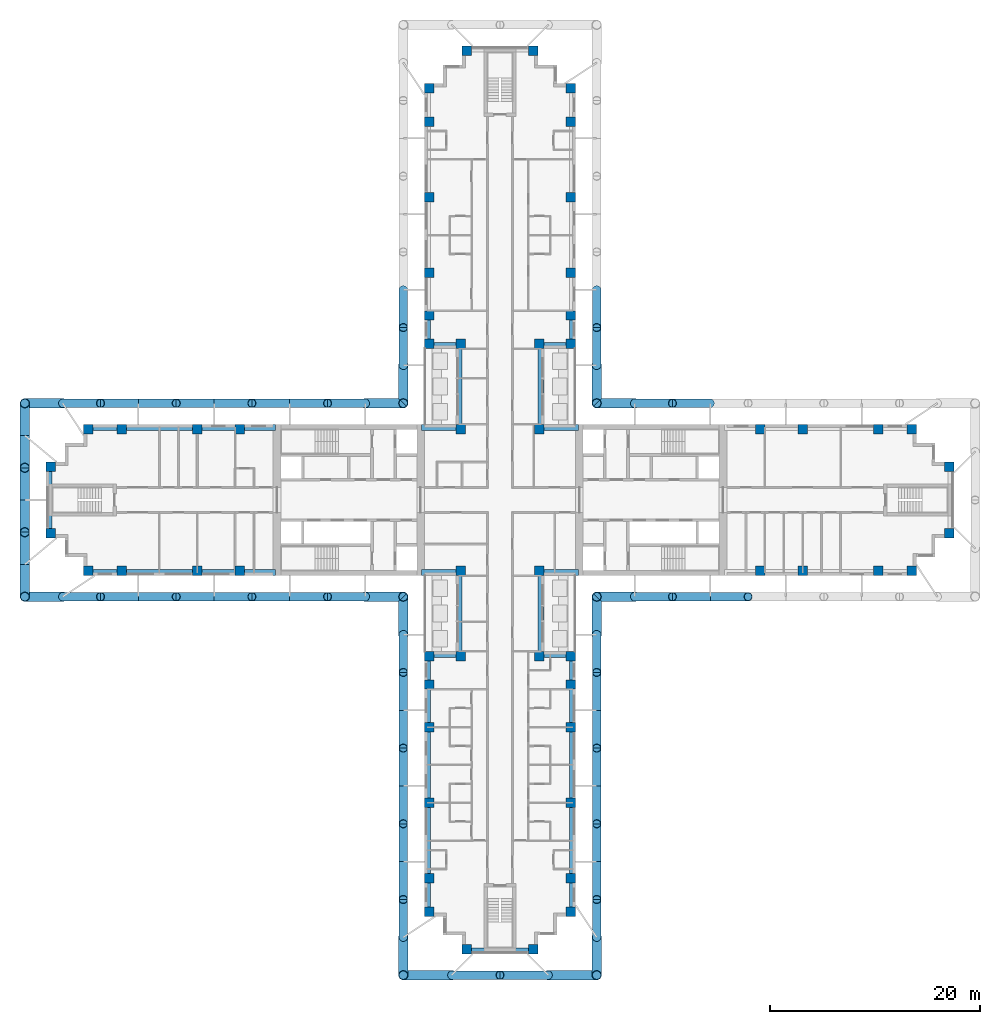
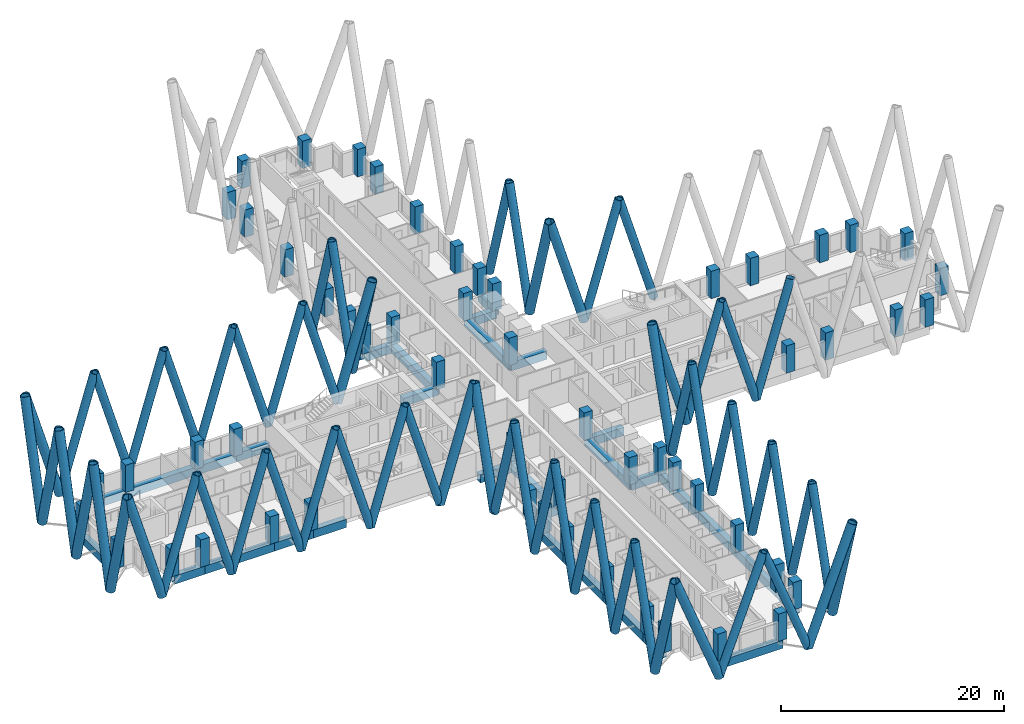
# One storey, part 1 of 16: 63 members, 56 columns, 34 beams.
"""IFC4 building model written with IfcOpenShell, lengths in metres."""

import ifcopenshell
import ifcopenshell.guid

model = None  # the IFC model being written
_history = None  # IfcOwnerHistory: only IFC2X3 demands one
_inside = {}  # id of a spatial element -> (the spatial element, [elements in it])
_under = {}  # id of a project, library or spatial element -> (it, [spatial elements below it])
_declared = {}  # id of a project -> (the project, [libraries it declares])
_typed = {}  # id of a type object -> (the type object, [elements of that type])
_made_of = {}  # id of a material, layer set ... -> (it, [elements and type objects made of it])


def new_model(schema):
    """Start an empty IFC model of exactly this schema.

    Asked for "IFC4X3", IfcOpenShell would pick the latest addendum, in which some entities
    have other attributes; the version numbers below select the first issue.
    IFC2X3 requires an IfcOwnerHistory on every rooted entity: one is made here for all.
    """
    global model, _history
    if schema == "IFC4X3":
        model = ifcopenshell.file(schema_version=(4, 3, 0, 0))
    else:
        model = ifcopenshell.file(schema=schema)
    _inside.clear()
    _under.clear()
    _declared.clear()
    _typed.clear()
    _made_of.clear()
    _history = None
    if model.schema == "IFC2X3":
        org = make("IfcOrganization", Name="unknown")
        user = make(
            "IfcPersonAndOrganization",
            ThePerson=make("IfcPerson", FamilyName="unknown"),
            TheOrganization=org,
        )
        app = make(
            "IfcApplication",
            ApplicationDeveloper=org,
            Version="unknown",
            ApplicationFullName="unknown",
            ApplicationIdentifier="unknown",
        )
        _history = make(
            "IfcOwnerHistory",
            OwningUser=user,
            OwningApplication=app,
            ChangeAction="ADDED",
            CreationDate=0,
        )
    return model


def make(cls, **values):
    """One entity of the class cls with the attributes given. An attribute that is None is left unset."""
    return model.create_entity(
        cls, **{name: value for name, value in values.items() if value is not None}
    )


def rooted(cls, **values):
    """An entity with a GlobalId (a new one), such as an element, a storey or a relation."""
    return make(cls, GlobalId=ifcopenshell.guid.new(), OwnerHistory=_history, **values)


def si_unit(unit_type, name, prefix=None):
    """IfcSIUnit, for example si_unit("LENGTHUNIT", "METRE", prefix="MILLI")."""
    return make("IfcSIUnit", UnitType=unit_type, Prefix=prefix, Name=name)


def assignment(units):
    """IfcUnitAssignment: the units of a project."""
    return None if units is None else make("IfcUnitAssignment", Units=units)


def point(xyz):
    """IfcCartesianPoint."""
    return None if xyz is None else make("IfcCartesianPoint", Coordinates=xyz)


def direction(xyz):
    """IfcDirection."""
    return None if xyz is None else make("IfcDirection", DirectionRatios=xyz)


def frame(location, z_axis=None, x_axis=None):
    """IfcAxis2Placement3D, a coordinate frame: its origin and axes. An axis left out is left unset."""
    return make(
        "IfcAxis2Placement3D",
        Location=point(location),
        Axis=direction(z_axis),
        RefDirection=direction(x_axis),
    )


def frame_2d(location, x_axis=None):
    """IfcAxis2Placement2D, a coordinate frame in the plane: its origin and x axis."""
    return make(
        "IfcAxis2Placement2D", Location=point(location), RefDirection=direction(x_axis)
    )


def origin():
    """The frame at (0, 0, 0) with its axes left unset."""
    return frame((0.0, 0.0, 0.0))


def origin_2d():
    """The frame at (0, 0) in the plane with its x axis left unset."""
    return frame_2d((0.0, 0.0))


def place(relative_to, where):
    """IfcLocalPlacement: puts the frame where relative to a parent placement (None: the world)."""
    return make(
        "IfcLocalPlacement", PlacementRelTo=relative_to, RelativePlacement=where
    )


def context(
    kind, dimensions, precision=None, world=None, true_north=None, identifier=None
):
    """IfcGeometricRepresentationContext, for example the 3D "Model" context."""
    return make(
        "IfcGeometricRepresentationContext",
        ContextIdentifier=identifier,
        ContextType=kind,
        CoordinateSpaceDimension=dimensions,
        Precision=precision,
        WorldCoordinateSystem=world,
        TrueNorth=true_north,
    )


def subcontext(parent, identifier, kind, view, scale=None):
    """IfcGeometricRepresentationSubContext, for example "Body" below "Model"."""
    return make(
        "IfcGeometricRepresentationSubContext",
        ContextIdentifier=identifier,
        ContextType=kind,
        ParentContext=parent,
        TargetScale=scale,
        TargetView=view,
    )


def project(units=None, contexts=None):
    """IfcProject with its units and contexts."""
    return rooted(
        "IfcProject",
        Name="project",
        RepresentationContexts=contexts,
        UnitsInContext=assignment(units),
    )


def spatial(cls, under=None, at=None, **own):
    """A site, building, storey or space (cls), placed at a placement, below another one or the project."""
    s = rooted(cls, ObjectPlacement=at, **own)
    if under is not None:
        _under.setdefault(under.id(), (under, []))[1].append(s)
    return s


def profile(cls, at=None, kind="AREA", **sizes):
    """A parametric profile (cls). Its sizes go by their IFC names, for example OverallWidth=200.0."""
    return make(cls, ProfileType=kind, Position=at, **sizes)


def rectangle(**sizes):
    """IfcRectangleProfileDef."""
    return profile("IfcRectangleProfileDef", **sizes)


def hollow_circle(**sizes):
    """IfcCircleHollowProfileDef."""
    return profile("IfcCircleHollowProfileDef", **sizes)


def extrude(swept, where, along, depth):
    """IfcExtrudedAreaSolid: the profile swept, set in the frame where, extruded along a direction by depth."""
    return make(
        "IfcExtrudedAreaSolid",
        SweptArea=swept,
        Position=where,
        ExtrudedDirection=direction(along),
        Depth=depth,
    )


def shape(context_of_items, identifier, shape_type, items):
    """IfcShapeRepresentation: the items that make up one representation, for example the "Body"."""
    return make(
        "IfcShapeRepresentation",
        ContextOfItems=context_of_items,
        RepresentationIdentifier=identifier,
        RepresentationType=shape_type,
        Items=items,
    )


def material(Name=None, Category=None):
    """IfcMaterial."""
    return make("IfcMaterial", Name=Name, Category=Category)


def material_profile(
    of_material, cross_section, Name=None, Category=None, Priority=None
):
    """IfcMaterialProfile: a cross section and its material."""
    return make(
        "IfcMaterialProfile",
        Name=Name,
        Material=of_material,
        Profile=cross_section,
        Priority=Priority,
        Category=Category,
    )


def profile_set(profiles, Name=None, composite=None):
    """IfcMaterialProfileSet."""
    return make(
        "IfcMaterialProfileSet",
        Name=Name,
        MaterialProfiles=profiles,
        CompositeProfile=composite,
    )


def made_of(thing, what):
    """Note that an element or type object is made of a material, layer set ...; save() writes the relation."""
    if what is not None:
        _made_of.setdefault(what.id(), (what, []))[1].append(thing)
    return thing


def type_object(cls, material=None, **own):
    """A type object (cls), such as IfcWallType, which elements share."""
    return made_of(rooted(cls, **own), material)


def element(
    cls,
    number,
    at=None,
    inside=None,
    cuts=None,
    type_object=None,
    material=None,
    context=None,
    identifier="Body",
    shape_type=None,
    held_by="IfcProductDefinitionShape",
    body=None,
    shapes=None,
    **own,
):
    """One element of the class cls, such as IfcWall. Its Tag is "e" and its number.

    at: its placement. inside: the storey or other place that contains it. cuts: it is an
    opening in that element (IfcRelVoidsElement). A single representation is given by context,
    identifier, shape_type and body (its items); several are given by shapes. held_by: the class
    of the entity that holds the representations. save() writes the other relations.
    """
    e = rooted(cls, Tag="e%d" % number, ObjectPlacement=at, **own)
    if body is not None:
        shapes = [shape(context, identifier, shape_type, body)]
    if shapes is not None:
        e.Representation = make(held_by, Representations=shapes)
    if inside is not None:
        _inside.setdefault(inside.id(), (inside, []))[1].append(e)
    if cuts is not None:
        rooted(
            "IfcRelVoidsElement", RelatingBuildingElement=cuts, RelatedOpeningElement=e
        )
    if type_object is not None:
        _typed.setdefault(type_object.id(), (type_object, []))[1].append(e)
    return made_of(e, material)


def aggregate(whole, parts):
    """IfcRelAggregates: a whole, such as a stair, and the parts it consists of."""
    return rooted("IfcRelAggregates", RelatingObject=whole, RelatedObjects=parts)


def save(model, path):
    """Write the relations noted so far, then the file.

    IfcRelAggregates (storeys below a building ...), IfcRelContainedInSpatialStructure (elements
    in a storey), IfcRelDefinesByType, IfcRelAssociatesMaterial and IfcRelDeclares: one each for
    every whole, place, type object, material and project.
    """
    for whole, parts in _under.values():
        aggregate(whole, parts)
    for where, things in _inside.values():
        rooted(
            "IfcRelContainedInSpatialStructure",
            RelatedElements=things,
            RelatingStructure=where,
        )
    for kind, things in _typed.values():
        rooted("IfcRelDefinesByType", RelatedObjects=things, RelatingType=kind)
    for what, things in _made_of.values():
        rooted("IfcRelAssociatesMaterial", RelatedObjects=things, RelatingMaterial=what)
    for by, libraries in _declared.values():
        rooted("IfcRelDeclares", RelatingContext=by, RelatedDefinitions=libraries)
    model.write(path)


model = new_model("IFC4")

# Units and contexts
model_context = context("Model", 3, precision=1e-05, world=origin(), true_north=direction((0.0, 1.0)))
body_context = subcontext(model_context, "Body", "Model", "MODEL_VIEW")
ifc_project = project(units=[si_unit("LENGTHUNIT", "METRE"), si_unit("AREAUNIT", "SQUARE_METRE"), si_unit("VOLUMEUNIT", "CUBIC_METRE"), si_unit("PLANEANGLEUNIT", "RADIAN"), si_unit("MASSUNIT", "GRAM", prefix="KILO")], contexts=[model_context])

# Site, building, storey
site_placement = place(None, origin())
site = spatial("IfcSite", under=ifc_project, at=site_placement, CompositionType="ELEMENT")
building_placement = place(site_placement, origin())
building = spatial("IfcBuilding", under=site, at=building_placement, Name="Fustian Cross Tower", CompositionType="ELEMENT")
storey_placement = place(building_placement, frame((0.0, 0.0, 20.699951171875)))
storey = spatial("IfcBuildingStorey", under=building, at=storey_placement, Name="L05", CompositionType="ELEMENT", Elevation=20.699951171875)

# Columns
ifc_material_1 = material(Name="Concrete C70/85", Category="concrete")
ifc_material_profile_1 = material_profile(ifc_material_1, rectangle(XDim=0.89990234375, YDim=0.89990234375, at=origin_2d()), Name="RC 900x900")
ifc_profile_set_1 = profile_set([ifc_material_profile_1], Name="Concrete C70/85")
column_type = type_object("IfcColumnType", Name="COLUMN RC 900x900 C70/85", PredefinedType="COLUMN", material=ifc_profile_set_1)
for number, where, z_axis, x_axis, name in (
    (1, (-42.75, -3.14990234375, 0.0), (0.0, 0.0, 1.0), (1.0, 0.0, 0.0), "COLUMN 001"),
    (2, (-42.75, 3.14990234375, 0.0), (0.0, 0.0, 1.0), (1.0, 0.0, 0.0), "COLUMN 002"),
    (3, (-39.14990234375, -6.75, 0.0), (0.0, 0.0, 1.0), (1.0, 0.0, 0.0), "COLUMN 003"),
    (4, (-39.14990234375, 6.75, 0.0), (0.0, 0.0, 1.0), (1.0, 0.0, 0.0), "COLUMN 004"),
    (5, (-36.0, -6.75, 0.0), (0.0, 0.0, 1.0), (1.0, 0.0, 0.0), "COLUMN 005"),
    (6, (-36.0, 6.75, 0.0), (0.0, 0.0, 1.0), (1.0, 0.0, 0.0), "COLUMN 006"),
    (7, (-28.800048828125, -6.75, 0.0), (0.0, 0.0, 1.0), (1.0, 0.0, 0.0), "COLUMN 007"),
    (8, (-28.800048828125, 6.75, 0.0), (0.0, 0.0, 1.0), (1.0, 0.0, 0.0), "COLUMN 010"),
    (9, (-24.75, -6.75, 0.0), (0.0, 0.0, 1.0), (1.0, 0.0, 0.0), "COLUMN 011"),
    (10, (-24.75, 6.75, 0.0), (0.0, 0.0, 1.0), (1.0, 0.0, 0.0), "COLUMN 012"),
    (11, (-6.75, -39.14990234375, 0.0), (0.0, 0.0, 1.0), (1.0, 0.0, 0.0), "COLUMN 013"),
    (12, (-6.75, -36.0, 0.0), (0.0, 0.0, 1.0), (1.0, 0.0, 0.0), "COLUMN 014"),
    (13, (-6.75, -28.800048828125, 0.0), (0.0, 0.0, 1.0), (1.0, 0.0, 0.0), "COLUMN 015"),
    (14, (-6.75, -21.60009765625, 0.0), (0.0, 0.0, 1.0), (1.0, 0.0, 0.0), "COLUMN 016"),
    (15, (-6.75, -17.550048828125, 0.0), (0.0, 0.0, 1.0), (1.0, 0.0, 0.0), "COLUMN 017"),
    (16, (-6.75, -14.85009765625, 0.0), (0.0, 0.0, 1.0), (1.0, 0.0, 0.0), "COLUMN 018"),
    (17, (-6.75, 14.85009765625, 0.0), (0.0, 0.0, 1.0), (1.0, 0.0, 0.0), "COLUMN 019"),
    (18, (-6.75, 17.550048828125, 0.0), (0.0, 0.0, 1.0), (1.0, 0.0, 0.0), "COLUMN 020"),
    (19, (-6.75, 21.60009765625, 0.0), (0.0, 0.0, 1.0), (1.0, 0.0, 0.0), "COLUMN 021"),
    (20, (-6.75, 28.800048828125, 0.0), (0.0, 0.0, 1.0), (1.0, 0.0, 0.0), "COLUMN 022"),
    (21, (-6.75, 36.0, 0.0), (0.0, 0.0, 1.0), (1.0, 0.0, 0.0), "COLUMN 023"),
    (22, (-6.75, 39.14990234375, 0.0), (0.0, 0.0, 1.0), (1.0, 0.0, 0.0), "COLUMN 024"),
    (23, (-3.75, -14.85009765625, 0.0), (0.0, 0.0, 1.0), (1.0, 0.0, 0.0), "COLUMN 025"),
    (24, (-3.75, -6.75, 0.0), (0.0, 0.0, 1.0), (1.0, 0.0, 0.0), "COLUMN 026"),
    (25, (-3.75, 6.75, 0.0), (0.0, 0.0, 1.0), (1.0, 0.0, 0.0), "COLUMN 027"),
    (26, (-3.75, 14.85009765625, 0.0), (0.0, 0.0, 1.0), (1.0, 0.0, 0.0), "COLUMN 028"),
    (27, (-3.14990234375, -42.75, 0.0), (0.0, 0.0, 1.0), (1.0, 0.0, 0.0), "COLUMN 029"),
    (28, (-3.14990234375, 42.75, 0.0), (0.0, 0.0, 1.0), (1.0, 0.0, 0.0), "COLUMN 032"),
    (29, (3.14990234375, -42.75, 0.0), (0.0, 0.0, 1.0), (1.0, 0.0, 0.0), "COLUMN 033"),
    (30, (3.14990234375, 42.75, 0.0), (0.0, 0.0, 1.0), (1.0, 0.0, 0.0), "COLUMN 036"),
    (31, (3.75, -14.85009765625, 0.0), (0.0, 0.0, 1.0), (1.0, 0.0, 0.0), "COLUMN 037"),
    (32, (3.75, -6.75, 0.0), (0.0, 0.0, 1.0), (1.0, 0.0, 0.0), "COLUMN 038"),
    (33, (3.75, 6.75, 0.0), (0.0, 0.0, 1.0), (1.0, 0.0, 0.0), "COLUMN 039"),
    (34, (3.75, 14.85009765625, 0.0), (0.0, 0.0, 1.0), (1.0, 0.0, 0.0), "COLUMN 040"),
    (35, (6.75, -39.14990234375, 0.0), (0.0, 0.0, 1.0), (1.0, 0.0, 0.0), "COLUMN 041"),
    (36, (6.75, -36.0, 0.0), (0.0, 0.0, 1.0), (1.0, 0.0, 0.0), "COLUMN 042"),
    (37, (6.75, -28.800048828125, 0.0), (0.0, 0.0, 1.0), (1.0, 0.0, 0.0), "COLUMN 043"),
    (38, (6.75, -21.60009765625, 0.0), (0.0, 0.0, 1.0), (1.0, 0.0, 0.0), "COLUMN 044"),
    (39, (6.75, -17.550048828125, 0.0), (0.0, 0.0, 1.0), (1.0, 0.0, 0.0), "COLUMN 045"),
    (40, (6.75, -14.85009765625, 0.0), (0.0, 0.0, 1.0), (1.0, 0.0, 0.0), "COLUMN 046"),
    (41, (6.75, 14.85009765625, 0.0), (0.0, 0.0, 1.0), (1.0, 0.0, 0.0), "COLUMN 047"),
    (42, (6.75, 17.550048828125, 0.0), (0.0, 0.0, 1.0), (1.0, 0.0, 0.0), "COLUMN 048"),
    (43, (6.75, 21.60009765625, 0.0), (0.0, 0.0, 1.0), (1.0, 0.0, 0.0), "COLUMN 049"),
    (44, (6.75, 28.800048828125, 0.0), (0.0, 0.0, 1.0), (1.0, 0.0, 0.0), "COLUMN 050"),
    (45, (6.75, 36.0, 0.0), (0.0, 0.0, 1.0), (1.0, 0.0, 0.0), "COLUMN 051"),
    (46, (6.75, 39.14990234375, 0.0), (0.0, 0.0, 1.0), (1.0, 0.0, 0.0), "COLUMN 052"),
    (47, (24.75, -6.75, 0.0), (0.0, 0.0, 1.0), (1.0, 0.0, 0.0), "COLUMN 053"),
    (48, (24.75, 6.75, 0.0), (0.0, 0.0, 1.0), (1.0, 0.0, 0.0), "COLUMN 054"),
    (49, (28.800048828125, -6.75, 0.0), (0.0, 0.0, 1.0), (1.0, 0.0, 0.0), "COLUMN 055"),
    (50, (28.800048828125, 6.75, 0.0), (0.0, 0.0, 1.0), (1.0, 0.0, 0.0), "COLUMN 058"),
    (51, (36.0, -6.75, 0.0), (0.0, 0.0, 1.0), (1.0, 0.0, 0.0), "COLUMN 059"),
    (52, (36.0, 6.75, 0.0), (0.0, 0.0, 1.0), (1.0, 0.0, 0.0), "COLUMN 060"),
    (53, (39.14990234375, -6.75, 0.0), (0.0, 0.0, 1.0), (1.0, 0.0, 0.0), "COLUMN 061"),
    (54, (39.14990234375, 6.75, 0.0), (0.0, 0.0, 1.0), (1.0, 0.0, 0.0), "COLUMN 062"),
    (55, (42.75, -3.14990234375, 0.0), (0.0, 0.0, 1.0), (1.0, 0.0, 0.0), "COLUMN 063"),
    (56, (42.75, 3.14990234375, 0.0), (0.0, 0.0, 1.0), (1.0, 0.0, 0.0), "COLUMN 064"),
):
    element("IfcColumn", number, at=place(storey_placement, frame(where, z_axis=z_axis, x_axis=x_axis)), inside=storey, type_object=column_type, Name=name, PredefinedType="COLUMN", context=body_context, shape_type="SweptSolid", body=[
        extrude(rectangle(XDim=0.89990234375, YDim=0.89990234375, at=origin_2d()), origin(), (0.0, 0.0, 1.0), 3.0),
    ])

# Members
ifc_material_2 = material(Name="Steel S355", Category="steel")
ifc_material_profile_2 = material_profile(ifc_material_2, hollow_circle(Radius=0.406494140625, WallThickness=0.0400390625, at=origin_2d()), Name="CHS 813x40")
ifc_profile_set_2 = profile_set([ifc_material_profile_2], Name="Steel S355")
member_type_1 = type_object("IfcMemberType", Name="DIAGRID DIAGONAL CHS 813x40", PredefinedType="BRACE", material=ifc_profile_set_2)
for number, where, z_axis, x_axis, name in (
    (57, (12.800048828125, -9.199951171875, 0.0), (0.287337158709, 0.0, 0.957829503213), (0.0, 1.0, 0.0), "Diagrid diagonal E-S 02"),
    (58, (20.0, -9.199951171875, 0.0), (-0.287355036744, 0.0, 0.957824139839), (0.0, -1.0, 0.0), "Diagrid diagonal E-S 03"),
    (59, (20.0, -9.199951171875, 0.0), (0.287355036744, 0.0, 0.957824139839), (0.0, 1.0, 0.0), "Diagrid diagonal E-S 04"),
    (60, (20.0, 9.199951171875, 0.0), (-0.287355036744, 0.0, 0.957824139839), (0.0, -1.0, 0.0), "Diagrid diagonal E-N 08"),
    (61, (12.800048828125, 9.199951171875, 0.0), (0.287337158709, 0.0, 0.957829503213), (0.0, 1.0, 0.0), "Diagrid diagonal E-N 09"),
    (62, (9.199951171875, 12.800048828125, 0.0), (0.0, 0.287337158709, 0.957829503213), (-1.0, 0.0, 0.0), "Diagrid diagonal N-E 02"),
    (63, (9.199951171875, 20.0, 0.0), (0.0, -0.287355036744, 0.957824139839), (1.0, 0.0, 0.0), "Diagrid diagonal N-E 03"),
    (64, (-9.199951171875, 20.0, 0.0), (0.0, -0.287355036744, 0.957824139839), (1.0, 0.0, 0.0), "Diagrid diagonal N-W 08"),
    (65, (-9.199951171875, 12.800048828125, 0.0), (0.0, 0.287337158709, 0.957829503213), (-1.0, 0.0, 0.0), "Diagrid diagonal N-W 09"),
    (66, (-12.800048828125, 9.199951171875, 0.0), (-0.287337158709, 0.0, 0.957829503213), (0.0, -1.0, 0.0), "Diagrid diagonal W-N 02"),
    (67, (-20.0, 9.199951171875, 0.0), (0.287355036744, 0.0, 0.957824139839), (0.0, 1.0, 0.0), "Diagrid diagonal W-N 03"),
    (68, (-20.0, 9.199951171875, 0.0), (-0.287355036744, 0.0, 0.957824139839), (0.0, -1.0, 0.0), "Diagrid diagonal W-N 04"),
    (69, (-27.199951171875, 9.199951171875, 0.0), (0.287337158709, 0.0, 0.957829503213), (0.0, 1.0, 0.0), "Diagrid diagonal W-N 05"),
    (70, (-27.199951171875, 9.199951171875, 0.0), (-0.287355036744, 0.0, 0.957824139839), (0.0, -1.0, 0.0), "Diagrid diagonal W-N 06"),
    (71, (-34.39990234375, 9.199951171875, 0.0), (0.287337158709, 0.0, 0.957829503213), (0.0, 1.0, 0.0), "Diagrid diagonal W-N 07"),
    (72, (-34.39990234375, 9.199951171875, 0.0), (-0.287355036744, 0.0, 0.957824139839), (0.0, -1.0, 0.0), "Diagrid diagonal W-N 08"),
    (73, (-41.60009765625, 9.199951171875, 0.0), (0.287355036744, 0.0, 0.957824139839), (0.0, 1.0, 0.0), "Diagrid diagonal W-N 09"),
    (74, (-41.60009765625, -9.199951171875, 0.0), (0.287355036744, 0.0, 0.957824139839), (0.0, 1.0, 0.0), "Diagrid diagonal W-S 02"),
    (75, (-34.39990234375, -9.199951171875, 0.0), (-0.287355036744, 0.0, 0.957824139839), (0.0, -1.0, 0.0), "Diagrid diagonal W-S 03"),
    (76, (-34.39990234375, -9.199951171875, 0.0), (0.287337158709, 0.0, 0.957829503213), (0.0, 1.0, 0.0), "Diagrid diagonal W-S 04"),
    (77, (-27.199951171875, -9.199951171875, 0.0), (-0.287355036744, 0.0, 0.957824139839), (0.0, -1.0, 0.0), "Diagrid diagonal W-S 05"),
    (78, (-27.199951171875, -9.199951171875, 0.0), (0.287337158709, 0.0, 0.957829503213), (0.0, 1.0, 0.0), "Diagrid diagonal W-S 06"),
    (79, (-20.0, -9.199951171875, 0.0), (-0.287355036744, 0.0, 0.957824139839), (0.0, -1.0, 0.0), "Diagrid diagonal W-S 07"),
    (80, (-20.0, -9.199951171875, 0.0), (0.287355036744, 0.0, 0.957824139839), (0.0, 1.0, 0.0), "Diagrid diagonal W-S 08"),
    (81, (-12.800048828125, -9.199951171875, 0.0), (-0.287337158709, 0.0, 0.957829503213), (0.0, -1.0, 0.0), "Diagrid diagonal W-S 09"),
    (82, (-9.199951171875, -12.800048828125, 0.0), (0.0, -0.287337158709, 0.957829503213), (1.0, 0.0, 0.0), "Diagrid diagonal S-W 02"),
    (83, (-9.199951171875, -20.0, 0.0), (0.0, 0.287355036744, 0.957824139839), (-1.0, 0.0, 0.0), "Diagrid diagonal S-W 03"),
    (84, (-9.199951171875, -20.0, 0.0), (0.0, -0.287355036744, 0.957824139839), (1.0, 0.0, 0.0), "Diagrid diagonal S-W 04"),
    (85, (-9.199951171875, -27.199951171875, 0.0), (0.0, 0.287337158709, 0.957829503213), (-1.0, 0.0, 0.0), "Diagrid diagonal S-W 05"),
    (86, (-9.199951171875, -27.199951171875, 0.0), (0.0, -0.287355036744, 0.957824139839), (1.0, 0.0, 0.0), "Diagrid diagonal S-W 06"),
    (87, (-9.199951171875, -34.39990234375, 0.0), (0.0, 0.287337158709, 0.957829503213), (-1.0, 0.0, 0.0), "Diagrid diagonal S-W 07"),
    (88, (-9.199951171875, -34.39990234375, 0.0), (0.0, -0.287355036744, 0.957824139839), (1.0, 0.0, 0.0), "Diagrid diagonal S-W 08"),
    (89, (-9.199951171875, -41.60009765625, 0.0), (0.0, 0.287355036744, 0.957824139839), (-1.0, 0.0, 0.0), "Diagrid diagonal S-W 09"),
):
    element("IfcMember", number, at=place(storey_placement, frame(where, z_axis=z_axis, x_axis=x_axis)), inside=storey, type_object=member_type_1, Name=name, PredefinedType="BRACE", context=body_context, shape_type="SweptSolid", body=[
        extrude(hollow_circle(Radius=0.406494140625, WallThickness=0.0400390625, at=origin_2d()), origin(), (0.0, 0.0, 1.0), 12.5283203125),
    ])
for number, where, z_axis, x_axis, name in (
    (90, (-4.60009765625, -45.199951171875, 0.0), (0.3579426369, 0.0, 0.933743577589), (0.0, 1.0, 0.0), "Diagrid diagonal S-end 02"),
    (91, (4.60009765625, -45.199951171875, 0.0), (-0.3579426369, 0.0, 0.933743577589), (0.0, -1.0, 0.0), "Diagrid diagonal S-end 03"),
):
    element("IfcMember", number, at=place(storey_placement, frame(where, z_axis=z_axis, x_axis=x_axis)), inside=storey, type_object=member_type_1, Name=name, PredefinedType="BRACE", context=body_context, shape_type="SweptSolid", body=[
        extrude(hollow_circle(Radius=0.406494140625, WallThickness=0.0400390625, at=origin_2d()), origin(), (0.0, 0.0, 1.0), 12.8515625),
    ])
for number, where, z_axis, x_axis, name in (
    (92, (9.199951171875, -41.60009765625, 0.0), (0.0, 0.287355036744, 0.957824139839), (-1.0, 0.0, 0.0), "Diagrid diagonal S-E 02"),
    (93, (9.199951171875, -34.39990234375, 0.0), (0.0, -0.287355036744, 0.957824139839), (1.0, 0.0, 0.0), "Diagrid diagonal S-E 03"),
    (94, (9.199951171875, -34.39990234375, 0.0), (0.0, 0.287337158709, 0.957829503213), (-1.0, 0.0, 0.0), "Diagrid diagonal S-E 04"),
    (95, (9.199951171875, -27.199951171875, 0.0), (0.0, -0.287355036744, 0.957824139839), (1.0, 0.0, 0.0), "Diagrid diagonal S-E 05"),
    (96, (9.199951171875, -27.199951171875, 0.0), (0.0, 0.287337158709, 0.957829503213), (-1.0, 0.0, 0.0), "Diagrid diagonal S-E 06"),
    (97, (9.199951171875, -20.0, 0.0), (0.0, -0.287355036744, 0.957824139839), (1.0, 0.0, 0.0), "Diagrid diagonal S-E 07"),
    (98, (9.199951171875, -20.0, 0.0), (0.0, 0.287355036744, 0.957824139839), (-1.0, 0.0, 0.0), "Diagrid diagonal S-E 08"),
    (99, (9.199951171875, -12.800048828125, 0.0), (0.0, -0.287337158709, 0.957829503213), (1.0, 0.0, 0.0), "Diagrid diagonal S-E 09"),
):
    element("IfcMember", number, at=place(storey_placement, frame(where, z_axis=z_axis, x_axis=x_axis)), inside=storey, type_object=member_type_1, Name=name, PredefinedType="BRACE", context=body_context, shape_type="SweptSolid", body=[
        extrude(hollow_circle(Radius=0.406494140625, WallThickness=0.0400390625, at=origin_2d()), origin(), (0.0, 0.0, 1.0), 12.5283203125),
    ])
ifc_material_3 = material(Name="Steel S355", Category="steel")
ifc_material_profile_3 = material_profile(ifc_material_3, hollow_circle(Radius=0.457275390625, WallThickness=0.050048828125, at=origin_2d()), Name="CHS 914x50")
ifc_profile_set_3 = profile_set([ifc_material_profile_3], Name="Steel S355")
member_type_2 = type_object("IfcMemberType", Name="DIAGRID DIAGONAL CHS 914x50", PredefinedType="BRACE", material=ifc_profile_set_3)
for number, where, z_axis, x_axis, name in (
    (100, (12.800048828125, -9.199951171875, 0.0), (-0.287355036744, 0.0, 0.957824139839), (0.0, -1.0, 0.0), "Diagrid diagonal E-S 01"),
    (101, (12.800048828125, 9.199951171875, 0.0), (-0.287355036744, 0.0, 0.957824139839), (0.0, -1.0, 0.0), "Diagrid diagonal E-N 10"),
    (102, (9.199951171875, 12.800048828125, 0.0), (0.0, -0.287355036744, 0.957824139839), (1.0, 0.0, 0.0), "Diagrid diagonal N-E 01"),
    (103, (-9.199951171875, 12.800048828125, 0.0), (0.0, -0.287355036744, 0.957824139839), (1.0, 0.0, 0.0), "Diagrid diagonal N-W 10"),
    (104, (-12.800048828125, 9.199951171875, 0.0), (0.287355036744, 0.0, 0.957824139839), (0.0, 1.0, 0.0), "Diagrid diagonal W-N 01"),
    (105, (-41.60009765625, 9.199951171875, 0.0), (-0.287337158709, 0.0, 0.957829503213), (0.0, -1.0, 0.0), "Diagrid diagonal W-N 10"),
):
    element("IfcMember", number, at=place(storey_placement, frame(where, z_axis=z_axis, x_axis=x_axis)), inside=storey, type_object=member_type_2, Name=name, PredefinedType="BRACE", context=body_context, shape_type="SweptSolid", body=[
        extrude(hollow_circle(Radius=0.457275390625, WallThickness=0.050048828125, at=origin_2d()), origin(), (0.0, 0.0, 1.0), 12.5283203125),
    ])
for number, where, z_axis, x_axis, name in (
    (106, (-45.199951171875, 6.13330078125, 0.0), (0.0, 0.247597033967, 0.96886310115), (-1.0, 0.0, 0.0), "Diagrid diagonal W-end 01"),
    (107, (-45.199951171875, 6.13330078125, 0.0), (0.0, -0.247597033967, 0.96886310115), (1.0, 0.0, 0.0), "Diagrid diagonal W-end 02"),
    (108, (-45.199951171875, 0.0, 0.0), (0.0, 0.247597033967, 0.96886310115), (-1.0, 0.0, 0.0), "Diagrid diagonal W-end 03"),
    (109, (-45.199951171875, 0.0, 0.0), (0.0, -0.247597033967, 0.96886310115), (1.0, 0.0, 0.0), "Diagrid diagonal W-end 04"),
    (110, (-45.199951171875, -6.13330078125, 0.0), (0.0, 0.247597033967, 0.96886310115), (-1.0, 0.0, 0.0), "Diagrid diagonal W-end 05"),
    (111, (-45.199951171875, -6.13330078125, 0.0), (0.0, -0.247597033967, 0.96886310115), (1.0, 0.0, 0.0), "Diagrid diagonal W-end 06"),
):
    element("IfcMember", number, at=place(storey_placement, frame(where, z_axis=z_axis, x_axis=x_axis)), inside=storey, type_object=member_type_2, Name=name, PredefinedType="BRACE", context=body_context, shape_type="SweptSolid", body=[
        extrude(hollow_circle(Radius=0.457275390625, WallThickness=0.050048828125, at=origin_2d()), origin(), (0.0, 0.0, 1.0), 12.3857421875),
    ])
for number, where, z_axis, x_axis, name in (
    (112, (-41.60009765625, -9.199951171875, 0.0), (-0.287337158709, 0.0, 0.957829503213), (0.0, -1.0, 0.0), "Diagrid diagonal W-S 01"),
    (113, (-12.800048828125, -9.199951171875, 0.0), (0.287355036744, 0.0, 0.957824139839), (0.0, 1.0, 0.0), "Diagrid diagonal W-S 10"),
    (114, (-9.199951171875, -12.800048828125, 0.0), (0.0, 0.287355036744, 0.957824139839), (-1.0, 0.0, 0.0), "Diagrid diagonal S-W 01"),
    (115, (-9.199951171875, -41.60009765625, 0.0), (0.0, -0.287337158709, 0.957829503213), (1.0, 0.0, 0.0), "Diagrid diagonal S-W 10"),
):
    element("IfcMember", number, at=place(storey_placement, frame(where, z_axis=z_axis, x_axis=x_axis)), inside=storey, type_object=member_type_2, Name=name, PredefinedType="BRACE", context=body_context, shape_type="SweptSolid", body=[
        extrude(hollow_circle(Radius=0.457275390625, WallThickness=0.050048828125, at=origin_2d()), origin(), (0.0, 0.0, 1.0), 12.5283203125),
    ])
for number, where, z_axis, x_axis, name in (
    (116, (-4.60009765625, -45.199951171875, 0.0), (-0.357926073629, 0.0, 0.933749926809), (0.0, -1.0, 0.0), "Diagrid diagonal S-end 01"),
    (117, (4.60009765625, -45.199951171875, 0.0), (0.357926073629, 0.0, 0.933749926809), (0.0, 1.0, 0.0), "Diagrid diagonal S-end 04"),
):
    element("IfcMember", number, at=place(storey_placement, frame(where, z_axis=z_axis, x_axis=x_axis)), inside=storey, type_object=member_type_2, Name=name, PredefinedType="BRACE", context=body_context, shape_type="SweptSolid", body=[
        extrude(hollow_circle(Radius=0.457275390625, WallThickness=0.050048828125, at=origin_2d()), origin(), (0.0, 0.0, 1.0), 12.851318359375),
    ])
for number, where, z_axis, x_axis, name in (
    (118, (9.199951171875, -41.60009765625, 0.0), (0.0, -0.287337158709, 0.957829503213), (1.0, 0.0, 0.0), "Diagrid diagonal S-E 01"),
    (119, (9.199951171875, -12.800048828125, 0.0), (0.0, 0.287355036744, 0.957824139839), (-1.0, 0.0, 0.0), "Diagrid diagonal S-E 10"),
):
    element("IfcMember", number, at=place(storey_placement, frame(where, z_axis=z_axis, x_axis=x_axis)), inside=storey, type_object=member_type_2, Name=name, PredefinedType="BRACE", context=body_context, shape_type="SweptSolid", body=[
        extrude(hollow_circle(Radius=0.457275390625, WallThickness=0.050048828125, at=origin_2d()), origin(), (0.0, 0.0, 1.0), 12.5283203125),
    ])

# Beams
ifc_material_4 = material(Name="Concrete C50/60", Category="concrete")
ifc_material_profile_4 = material_profile(ifc_material_4, rectangle(XDim=0.60009765625, YDim=0.89990234375, at=origin_2d()), Name="RC 600x900")
ifc_profile_set_4 = profile_set([ifc_material_profile_4], Name="Concrete C50/60")
beam_type = type_object("IfcBeamType", Name="EDGE BEAM RC 600x900 C50/60", PredefinedType="SPANDREL", material=ifc_profile_set_4)
beam_1_placement = place(storey_placement, frame((7.449951171875, 6.89990234375, -0.449951171875), z_axis=(-1.0, 0.0, 0.0), x_axis=(0.0, -1.0, 0.0)))
element("IfcBeam", 120, at=beam_1_placement, inside=storey, type_object=beam_type, Name="EDGE BEAM L05-10", PredefinedType="SPANDREL", context=body_context, shape_type="SweptSolid", body=[
    extrude(rectangle(XDim=0.60009765625, YDim=0.89990234375, at=origin_2d()), origin(), (0.0, 0.0, 1.0), 3.699951171875),
])
beam_2_placement = place(storey_placement, frame((3.89990234375, 6.75, -0.449951171875), z_axis=(0.0, 1.0, 0.0), x_axis=(-1.0, 0.0, 0.0)))
element("IfcBeam", 121, at=beam_2_placement, inside=storey, type_object=beam_type, Name="EDGE BEAM L05-11", PredefinedType="SPANDREL", context=body_context, shape_type="SweptSolid", body=[
    extrude(rectangle(XDim=0.60009765625, YDim=0.89990234375, at=origin_2d()), origin(), (0.0, 0.0, 1.0), 8.10009765625),
])
beam_3_placement = place(storey_placement, frame((3.75, 14.699951171875, -0.449951171875), z_axis=(1.0, 0.0, 0.0), x_axis=(0.0, 1.0, 0.0)))
element("IfcBeam", 122, at=beam_3_placement, inside=storey, type_object=beam_type, Name="EDGE BEAM L05-12", PredefinedType="SPANDREL", context=body_context, shape_type="SweptSolid", body=[
    extrude(rectangle(XDim=0.60009765625, YDim=0.89990234375, at=origin_2d()), origin(), (0.0, 0.0, 1.0), 3.0),
])
for number, where, z_axis, x_axis, name in (
    (123, (6.89990234375, 14.85009765625, -0.449951171875), (0.0, 1.0, 0.0), (-1.0, 0.0, 0.0), "EDGE BEAM L05-13"),
    (124, (-6.89990234375, 17.550048828125, -0.449951171875), (0.0, -1.0, 0.0), (1.0, 0.0, 0.0), "EDGE BEAM L05-23"),
):
    element("IfcBeam", number, at=place(storey_placement, frame(where, z_axis=z_axis, x_axis=x_axis)), inside=storey, type_object=beam_type, Name=name, PredefinedType="SPANDREL", context=body_context, shape_type="SweptSolid", body=[
        extrude(rectangle(XDim=0.60009765625, YDim=0.89990234375, at=origin_2d()), origin(), (0.0, 0.0, 1.0), 2.699951171875),
    ])
beam_4_placement = place(storey_placement, frame((-6.75, 14.699951171875, -0.449951171875), z_axis=(1.0, 0.0, 0.0), x_axis=(0.0, 1.0, 0.0)))
element("IfcBeam", 125, at=beam_4_placement, inside=storey, type_object=beam_type, Name="EDGE BEAM L05-24", PredefinedType="SPANDREL", context=body_context, shape_type="SweptSolid", body=[
    extrude(rectangle(XDim=0.60009765625, YDim=0.89990234375, at=origin_2d()), origin(), (0.0, 0.0, 1.0), 3.0),
])
beam_5_placement = place(storey_placement, frame((-3.89990234375, 14.85009765625, -0.449951171875), z_axis=(0.0, -1.0, 0.0), x_axis=(1.0, 0.0, 0.0)))
element("IfcBeam", 126, at=beam_5_placement, inside=storey, type_object=beam_type, Name="EDGE BEAM L05-25", PredefinedType="SPANDREL", context=body_context, shape_type="SweptSolid", body=[
    extrude(rectangle(XDim=0.60009765625, YDim=0.89990234375, at=origin_2d()), origin(), (0.0, 0.0, 1.0), 8.10009765625),
])
beam_6_placement = place(storey_placement, frame((-3.75, 6.89990234375, -0.449951171875), z_axis=(-1.0, 0.0, 0.0), x_axis=(0.0, -1.0, 0.0)))
element("IfcBeam", 127, at=beam_6_placement, inside=storey, type_object=beam_type, Name="EDGE BEAM L05-26", PredefinedType="SPANDREL", context=body_context, shape_type="SweptSolid", body=[
    extrude(rectangle(XDim=0.60009765625, YDim=0.89990234375, at=origin_2d()), origin(), (0.0, 0.0, 1.0), 3.699951171875),
])
beam_7_placement = place(storey_placement, frame((-21.35009765625, 6.89990234375, -0.449951171875), z_axis=(-1.0, 0.0, 0.0), x_axis=(0.0, -1.0, 0.0)))
element("IfcBeam", 128, at=beam_7_placement, inside=storey, type_object=beam_type, Name="EDGE BEAM L05-27", PredefinedType="SPANDREL", context=body_context, shape_type="SweptSolid", body=[
    extrude(rectangle(XDim=0.60009765625, YDim=0.89990234375, at=origin_2d()), origin(), (0.0, 0.0, 1.0), 3.39990234375),
])
beam_8_placement = place(storey_placement, frame((-24.75, 6.89990234375, -0.449951171875), z_axis=(-1.0, 0.0, 0.0), x_axis=(0.0, -1.0, 0.0)))
element("IfcBeam", 129, at=beam_8_placement, inside=storey, type_object=beam_type, Name="EDGE BEAM L05-28", PredefinedType="SPANDREL", context=body_context, shape_type="SweptSolid", body=[
    extrude(rectangle(XDim=0.60009765625, YDim=0.89990234375, at=origin_2d()), origin(), (0.0, 0.0, 1.0), 4.050048828125),
])
beam_9_placement = place(storey_placement, frame((-28.800048828125, 6.89990234375, -0.449951171875), z_axis=(-1.0, 0.0, 0.0), x_axis=(0.0, -1.0, 0.0)))
element("IfcBeam", 130, at=beam_9_placement, inside=storey, type_object=beam_type, Name="EDGE BEAM L05-29", PredefinedType="SPANDREL", context=body_context, shape_type="SweptSolid", body=[
    extrude(rectangle(XDim=0.60009765625, YDim=0.89990234375, at=origin_2d()), origin(), (0.0, 0.0, 1.0), 7.199951171875),
])
beam_10_placement = place(storey_placement, frame((-36.0, 6.89990234375, -0.449951171875), z_axis=(-1.0, 0.0, 0.0), x_axis=(0.0, -1.0, 0.0)))
element("IfcBeam", 131, at=beam_10_placement, inside=storey, type_object=beam_type, Name="EDGE BEAM L05-30", PredefinedType="SPANDREL", context=body_context, shape_type="SweptSolid", body=[
    extrude(rectangle(XDim=0.60009765625, YDim=0.89990234375, at=origin_2d()), origin(), (0.0, 0.0, 1.0), 3.14990234375),
])
beam_11_placement = place(storey_placement, frame((-42.89990234375, 3.14990234375, -0.449951171875), z_axis=(0.0, -1.0, 0.0), x_axis=(1.0, 0.0, 0.0)))
element("IfcBeam", 132, at=beam_11_placement, inside=storey, type_object=beam_type, Name="EDGE BEAM L05-31", PredefinedType="SPANDREL", context=body_context, shape_type="SweptSolid", body=[
    extrude(rectangle(XDim=0.60009765625, YDim=0.89990234375, at=origin_2d()), origin(), (0.0, 0.0, 1.0), 6.2998046875),
])
beam_12_placement = place(storey_placement, frame((-39.14990234375, -6.89990234375, -0.449951171875), z_axis=(1.0, 0.0, 0.0), x_axis=(0.0, 1.0, 0.0)))
element("IfcBeam", 133, at=beam_12_placement, inside=storey, type_object=beam_type, Name="EDGE BEAM L05-32", PredefinedType="SPANDREL", context=body_context, shape_type="SweptSolid", body=[
    extrude(rectangle(XDim=0.60009765625, YDim=0.89990234375, at=origin_2d()), origin(), (0.0, 0.0, 1.0), 3.14990234375),
])
beam_13_placement = place(storey_placement, frame((-36.0, -6.89990234375, -0.449951171875), z_axis=(1.0, 0.0, 0.0), x_axis=(0.0, 1.0, 0.0)))
element("IfcBeam", 134, at=beam_13_placement, inside=storey, type_object=beam_type, Name="EDGE BEAM L05-33", PredefinedType="SPANDREL", context=body_context, shape_type="SweptSolid", body=[
    extrude(rectangle(XDim=0.60009765625, YDim=0.89990234375, at=origin_2d()), origin(), (0.0, 0.0, 1.0), 7.199951171875),
])
beam_14_placement = place(storey_placement, frame((-28.800048828125, -6.89990234375, -0.449951171875), z_axis=(1.0, 0.0, 0.0), x_axis=(0.0, 1.0, 0.0)))
element("IfcBeam", 135, at=beam_14_placement, inside=storey, type_object=beam_type, Name="EDGE BEAM L05-34", PredefinedType="SPANDREL", context=body_context, shape_type="SweptSolid", body=[
    extrude(rectangle(XDim=0.60009765625, YDim=0.89990234375, at=origin_2d()), origin(), (0.0, 0.0, 1.0), 4.050048828125),
])
beam_15_placement = place(storey_placement, frame((-24.75, -6.89990234375, -0.449951171875), z_axis=(1.0, 0.0, 0.0), x_axis=(0.0, 1.0, 0.0)))
element("IfcBeam", 136, at=beam_15_placement, inside=storey, type_object=beam_type, Name="EDGE BEAM L05-35", PredefinedType="SPANDREL", context=body_context, shape_type="SweptSolid", body=[
    extrude(rectangle(XDim=0.60009765625, YDim=0.89990234375, at=origin_2d()), origin(), (0.0, 0.0, 1.0), 3.39990234375),
])
beam_16_placement = place(storey_placement, frame((-7.449951171875, -6.89990234375, -0.449951171875), z_axis=(1.0, 0.0, 0.0), x_axis=(0.0, 1.0, 0.0)))
element("IfcBeam", 137, at=beam_16_placement, inside=storey, type_object=beam_type, Name="EDGE BEAM L05-36", PredefinedType="SPANDREL", context=body_context, shape_type="SweptSolid", body=[
    extrude(rectangle(XDim=0.60009765625, YDim=0.89990234375, at=origin_2d()), origin(), (0.0, 0.0, 1.0), 3.699951171875),
])
beam_17_placement = place(storey_placement, frame((-3.89990234375, -6.75, -0.449951171875), z_axis=(0.0, -1.0, 0.0), x_axis=(1.0, 0.0, 0.0)))
element("IfcBeam", 138, at=beam_17_placement, inside=storey, type_object=beam_type, Name="EDGE BEAM L05-37", PredefinedType="SPANDREL", context=body_context, shape_type="SweptSolid", body=[
    extrude(rectangle(XDim=0.60009765625, YDim=0.89990234375, at=origin_2d()), origin(), (0.0, 0.0, 1.0), 8.10009765625),
])
beam_18_placement = place(storey_placement, frame((-3.75, -14.699951171875, -0.449951171875), z_axis=(-1.0, 0.0, 0.0), x_axis=(0.0, -1.0, 0.0)))
element("IfcBeam", 139, at=beam_18_placement, inside=storey, type_object=beam_type, Name="EDGE BEAM L05-38", PredefinedType="SPANDREL", context=body_context, shape_type="SweptSolid", body=[
    extrude(rectangle(XDim=0.60009765625, YDim=0.89990234375, at=origin_2d()), origin(), (0.0, 0.0, 1.0), 3.0),
])
beam_19_placement = place(storey_placement, frame((-6.89990234375, -14.85009765625, -0.449951171875), z_axis=(0.0, -1.0, 0.0), x_axis=(1.0, 0.0, 0.0)))
element("IfcBeam", 140, at=beam_19_placement, inside=storey, type_object=beam_type, Name="EDGE BEAM L05-39", PredefinedType="SPANDREL", context=body_context, shape_type="SweptSolid", body=[
    extrude(rectangle(XDim=0.60009765625, YDim=0.89990234375, at=origin_2d()), origin(), (0.0, 0.0, 1.0), 2.699951171875),
])
beam_20_placement = place(storey_placement, frame((-6.89990234375, -17.550048828125, -0.449951171875), z_axis=(0.0, -1.0, 0.0), x_axis=(1.0, 0.0, 0.0)))
element("IfcBeam", 141, at=beam_20_placement, inside=storey, type_object=beam_type, Name="EDGE BEAM L05-40", PredefinedType="SPANDREL", context=body_context, shape_type="SweptSolid", body=[
    extrude(rectangle(XDim=0.60009765625, YDim=0.89990234375, at=origin_2d()), origin(), (0.0, 0.0, 1.0), 4.050048828125),
])
for number, where, z_axis, x_axis, name in (
    (142, (-6.89990234375, -21.60009765625, -0.449951171875), (0.0, -1.0, 0.0), (1.0, 0.0, 0.0), "EDGE BEAM L05-41"),
    (143, (-6.89990234375, -28.800048828125, -0.449951171875), (0.0, -1.0, 0.0), (1.0, 0.0, 0.0), "EDGE BEAM L05-42"),
):
    element("IfcBeam", number, at=place(storey_placement, frame(where, z_axis=z_axis, x_axis=x_axis)), inside=storey, type_object=beam_type, Name=name, PredefinedType="SPANDREL", context=body_context, shape_type="SweptSolid", body=[
        extrude(rectangle(XDim=0.60009765625, YDim=0.89990234375, at=origin_2d()), origin(), (0.0, 0.0, 1.0), 7.199951171875),
    ])
beam_21_placement = place(storey_placement, frame((-6.89990234375, -36.0, -0.449951171875), z_axis=(0.0, -1.0, 0.0), x_axis=(1.0, 0.0, 0.0)))
element("IfcBeam", 144, at=beam_21_placement, inside=storey, type_object=beam_type, Name="EDGE BEAM L05-43", PredefinedType="SPANDREL", context=body_context, shape_type="SweptSolid", body=[
    extrude(rectangle(XDim=0.60009765625, YDim=0.89990234375, at=origin_2d()), origin(), (0.0, 0.0, 1.0), 3.14990234375),
])
beam_22_placement = place(storey_placement, frame((-3.14990234375, -42.89990234375, -0.449951171875), z_axis=(1.0, 0.0, 0.0), x_axis=(0.0, 1.0, 0.0)))
element("IfcBeam", 145, at=beam_22_placement, inside=storey, type_object=beam_type, Name="EDGE BEAM L05-44", PredefinedType="SPANDREL", context=body_context, shape_type="SweptSolid", body=[
    extrude(rectangle(XDim=0.60009765625, YDim=0.89990234375, at=origin_2d()), origin(), (0.0, 0.0, 1.0), 6.2998046875),
])
beam_23_placement = place(storey_placement, frame((6.89990234375, -39.14990234375, -0.449951171875), z_axis=(0.0, 1.0, 0.0), x_axis=(-1.0, 0.0, 0.0)))
element("IfcBeam", 146, at=beam_23_placement, inside=storey, type_object=beam_type, Name="EDGE BEAM L05-45", PredefinedType="SPANDREL", context=body_context, shape_type="SweptSolid", body=[
    extrude(rectangle(XDim=0.60009765625, YDim=0.89990234375, at=origin_2d()), origin(), (0.0, 0.0, 1.0), 3.14990234375),
])
for number, where, z_axis, x_axis, name in (
    (147, (6.89990234375, -36.0, -0.449951171875), (0.0, 1.0, 0.0), (-1.0, 0.0, 0.0), "EDGE BEAM L05-46"),
    (148, (6.89990234375, -28.800048828125, -0.449951171875), (0.0, 1.0, 0.0), (-1.0, 0.0, 0.0), "EDGE BEAM L05-47"),
):
    element("IfcBeam", number, at=place(storey_placement, frame(where, z_axis=z_axis, x_axis=x_axis)), inside=storey, type_object=beam_type, Name=name, PredefinedType="SPANDREL", context=body_context, shape_type="SweptSolid", body=[
        extrude(rectangle(XDim=0.60009765625, YDim=0.89990234375, at=origin_2d()), origin(), (0.0, 0.0, 1.0), 7.199951171875),
    ])
beam_24_placement = place(storey_placement, frame((6.89990234375, -21.60009765625, -0.449951171875), z_axis=(0.0, 1.0, 0.0), x_axis=(-1.0, 0.0, 0.0)))
element("IfcBeam", 149, at=beam_24_placement, inside=storey, type_object=beam_type, Name="EDGE BEAM L05-48", PredefinedType="SPANDREL", context=body_context, shape_type="SweptSolid", body=[
    extrude(rectangle(XDim=0.60009765625, YDim=0.89990234375, at=origin_2d()), origin(), (0.0, 0.0, 1.0), 4.050048828125),
])
beam_25_placement = place(storey_placement, frame((6.89990234375, -17.550048828125, -0.449951171875), z_axis=(0.0, 1.0, 0.0), x_axis=(-1.0, 0.0, 0.0)))
element("IfcBeam", 150, at=beam_25_placement, inside=storey, type_object=beam_type, Name="EDGE BEAM L05-49", PredefinedType="SPANDREL", context=body_context, shape_type="SweptSolid", body=[
    extrude(rectangle(XDim=0.60009765625, YDim=0.89990234375, at=origin_2d()), origin(), (0.0, 0.0, 1.0), 2.699951171875),
])
beam_26_placement = place(storey_placement, frame((6.75, -14.699951171875, -0.449951171875), z_axis=(-1.0, 0.0, 0.0), x_axis=(0.0, -1.0, 0.0)))
element("IfcBeam", 151, at=beam_26_placement, inside=storey, type_object=beam_type, Name="EDGE BEAM L05-50", PredefinedType="SPANDREL", context=body_context, shape_type="SweptSolid", body=[
    extrude(rectangle(XDim=0.60009765625, YDim=0.89990234375, at=origin_2d()), origin(), (0.0, 0.0, 1.0), 3.0),
])
beam_27_placement = place(storey_placement, frame((3.89990234375, -14.85009765625, -0.449951171875), z_axis=(0.0, 1.0, 0.0), x_axis=(-1.0, 0.0, 0.0)))
element("IfcBeam", 152, at=beam_27_placement, inside=storey, type_object=beam_type, Name="EDGE BEAM L05-51", PredefinedType="SPANDREL", context=body_context, shape_type="SweptSolid", body=[
    extrude(rectangle(XDim=0.60009765625, YDim=0.89990234375, at=origin_2d()), origin(), (0.0, 0.0, 1.0), 8.10009765625),
])
beam_28_placement = place(storey_placement, frame((3.75, -6.89990234375, -0.449951171875), z_axis=(1.0, 0.0, 0.0), x_axis=(0.0, 1.0, 0.0)))
element("IfcBeam", 153, at=beam_28_placement, inside=storey, type_object=beam_type, Name="EDGE BEAM L05-52", PredefinedType="SPANDREL", context=body_context, shape_type="SweptSolid", body=[
    extrude(rectangle(XDim=0.60009765625, YDim=0.89990234375, at=origin_2d()), origin(), (0.0, 0.0, 1.0), 3.699951171875),
])

save(model, "model.ifc")
